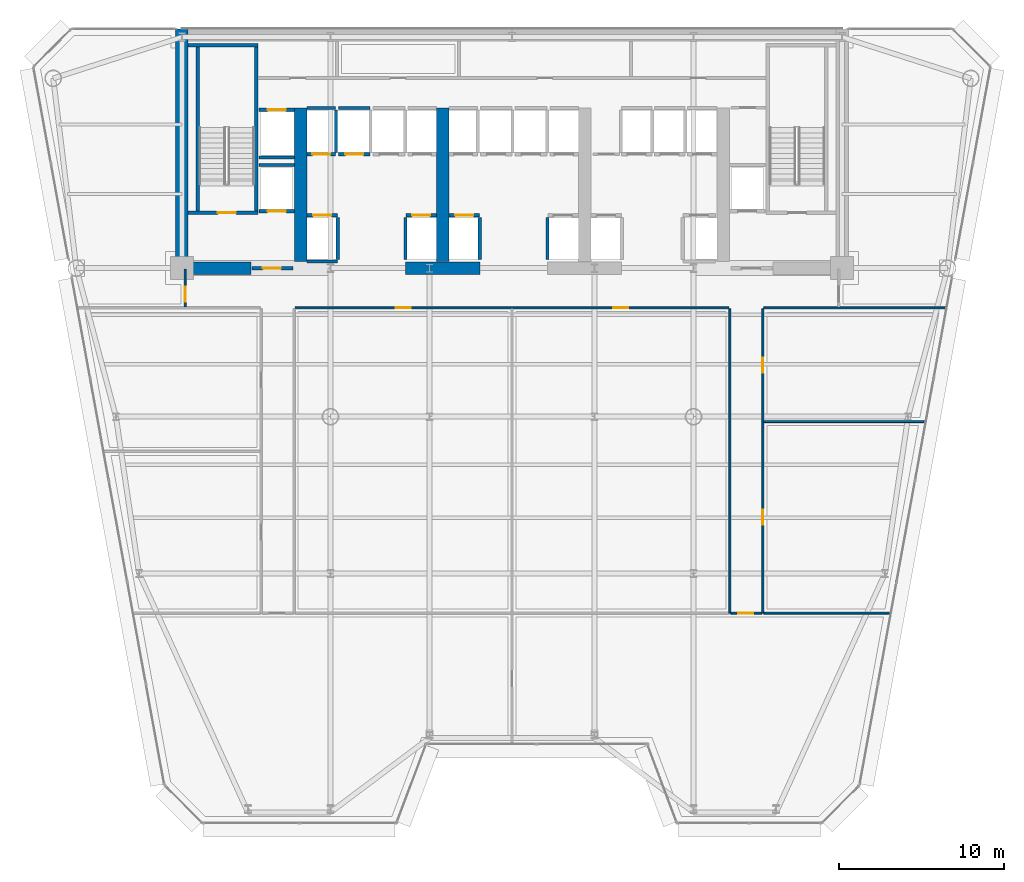
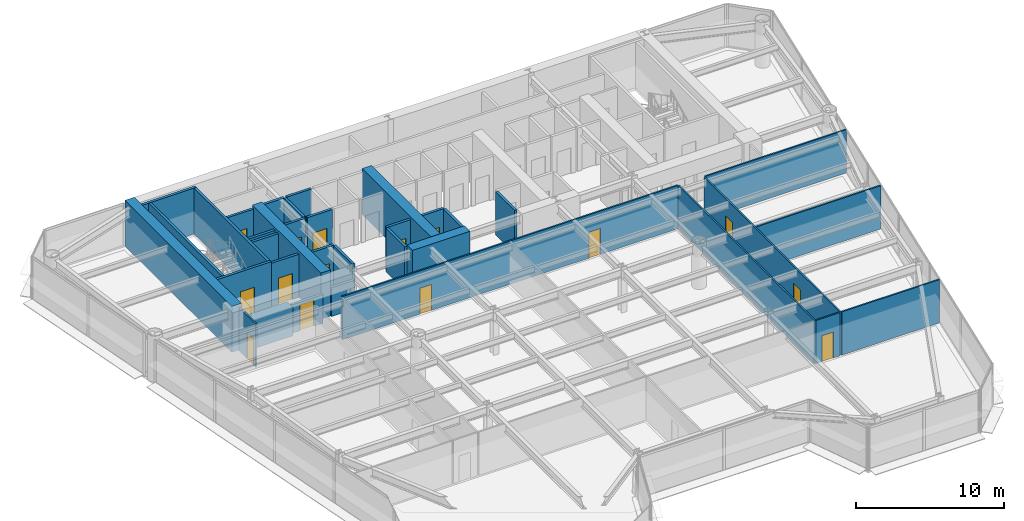
# One storey, part 8 of 14: 35 walls, 15 doors, 15 openings.
"""IFC4 building model written with IfcOpenShell, lengths in metres."""

from ifc_helpers import new_model, si_unit, direction, frame, frame_2d, origin, place, context, subcontext, project, spatial, rectangle, extrude, source, transform, mapped, material, layer, layer_set, type_object, element, fill, save


model = new_model("IFC4")

# Units and contexts
model_context = context("Model", 3, precision=1e-05, world=origin(), true_north=direction((0.0, 1.0)))
body_context = subcontext(model_context, "Body", "Model", "MODEL_VIEW")
ifc_project = project(units=[si_unit("LENGTHUNIT", "METRE"), si_unit("AREAUNIT", "SQUARE_METRE"), si_unit("VOLUMEUNIT", "CUBIC_METRE"), si_unit("PLANEANGLEUNIT", "RADIAN"), si_unit("MASSUNIT", "GRAM", prefix="KILO")], contexts=[model_context])

# Site, building, storey
site_placement = place(None, origin())
site = spatial("IfcSite", under=ifc_project, at=site_placement, CompositionType="ELEMENT")
building_placement = place(site_placement, origin())
building = spatial("IfcBuilding", under=site, at=building_placement, Name="Vaeldorn Concourse Tower", CompositionType="ELEMENT")
storey_placement = place(building_placement, frame((0.0, 0.0, 99.60009765625)))
storey = spatial("IfcBuildingStorey", under=building, at=storey_placement, Name="L25", CompositionType="ELEMENT", Elevation=99.60009765625)

# Walls
ifc_material_1 = material(Name="Concrete C60/75", Category="concrete")
ifc_layer_1 = layer(ifc_material_1, 0.75)
ifc_layer_set_1 = layer_set([ifc_layer_1], Name="Concrete C60/75")
wall_type_1 = type_object("IfcWallType", Name="WL-CORE-750", PredefinedType="SHEAR", material=ifc_layer_set_1)
wall_1_placement = place(storey_placement, frame((14.0, 36.5, 0.0), z_axis=(0.0, 0.0, 1.0), x_axis=(0.0, 1.0, 0.0)))
element("IfcWall", 1, at=wall_1_placement, inside=storey, type_object=wall_type_1, Name="Rear Core Shear Wall L25 W1", PredefinedType="SHEAR", context=body_context, shape_type="SweptSolid", body=[
    extrude(rectangle(XDim=14.5, YDim=0.75, at=frame_2d((7.25, 0.0))), origin(), (0.0, 0.0, 1.0), 3.7998046875),
])
wall_2_placement = place(storey_placement, frame((14.39501953125, 36.5, 0.0), z_axis=(0.0, 0.0, 1.0), x_axis=(1.0, 0.0, 0.0)))
element("IfcWall", 2, at=wall_2_placement, inside=storey, type_object=wall_type_1, Name="Rear Core Shear Wall L25 S1", PredefinedType="SHEAR", context=body_context, shape_type="SweptSolid", body=[
    extrude(rectangle(XDim=3.804931640625, YDim=0.75, at=frame_2d((1.90234375, 0.0))), origin(), (0.0, 0.0, 1.0), 2.3798828125),
])
wall_3_placement = place(storey_placement, frame((27.550048828125, 36.5, 0.0), z_axis=(0.0, 0.0, 1.0), x_axis=(1.0, 0.0, 0.0)))
element("IfcWall", 3, at=wall_3_placement, inside=storey, type_object=wall_type_1, Name="Rear Core Shear Wall L25 S2", PredefinedType="SHEAR", context=body_context, shape_type="SweptSolid", body=[
    extrude(rectangle(XDim=4.5, YDim=0.75, at=frame_2d((2.25, 0.0))), origin(), (0.0, 0.0, 1.0), 3.7998046875),
])
for number, where, z_axis, x_axis, name in (
    (4, (21.199951171875, 36.89501953125, 0.0), (0.0, 0.0, 1.0), (0.0, 1.0, 0.0), "Rear Core Shear Wall L25 M1"),
    (5, (29.800048828125, 36.89501953125, 0.0), (0.0, 0.0, 1.0), (0.0, 1.0, 0.0), "Rear Core Shear Wall L25 M2"),
):
    element("IfcWall", number, at=place(storey_placement, frame(where, z_axis=z_axis, x_axis=x_axis)), inside=storey, type_object=wall_type_1, Name=name, PredefinedType="SHEAR", context=body_context, shape_type="SweptSolid", body=[
        extrude(rectangle(XDim=9.304931640625, YDim=0.75, at=frame_2d((4.65234375, 0.0))), origin(), (0.0, 0.0, 1.0), 3.7998046875),
    ])

# Wall, openings, doors
ifc_material_2 = material(Name="Gypsum Board Partition", Category="gypsum")
ifc_layer_2 = layer(ifc_material_2, 0.1201171875)
ifc_layer_set_2 = layer_set([ifc_layer_2], Name="Gypsum Board Partition")
wall_type_2 = type_object("IfcWallType", Name="WL-PART-120", PredefinedType="PARTITIONING", material=ifc_layer_set_2)
wall_4_placement = place(storey_placement, frame((20.860107421875, 34.10009765625, 0.0), z_axis=(0.0, 0.0, 1.0), x_axis=(1.0, 0.0, 0.0)))
wall_4 = element("IfcWall", 6, at=wall_4_placement, inside=storey, type_object=wall_type_2, Name="Interior Wall PW-L25-CEWS", PredefinedType="PARTITIONING", context=body_context, shape_type="SweptSolid", body=[
    extrude(rectangle(XDim=26.27978515625, YDim=0.1201171875, at=frame_2d((13.139892578125, 0.0))), origin(), (0.0, 0.0, 1.0), 3.579833984375),
])
opening_1_placement = place(wall_4_placement, frame((6.090087890625, 0.0, 0.0)))
opening_1 = element("IfcOpeningElement", 7, at=opening_1_placement, cuts=wall_4, Name="Opening D-03", PredefinedType="OPENING", context=body_context, shape_type="SweptSolid", body=[
    extrude(rectangle(XDim=0.89990234375, YDim=2.14990234375, at=frame_2d((0.449951171875, 1.074951171875))), frame((0.0, 0.070068359375, 0.0), z_axis=(0.0, -1.0, 0.0), x_axis=(1.0, 0.0, 0.0)), (0.0, 0.0, 1.0), 0.14013671875),
])
opening_2_placement = place(wall_4_placement, frame((19.2900390625, 0.0, 0.0)))
opening_2 = element("IfcOpeningElement", 8, at=opening_2_placement, cuts=wall_4, Name="Opening D-03", PredefinedType="OPENING", context=body_context, shape_type="SweptSolid", body=[
    extrude(rectangle(XDim=0.89990234375, YDim=2.14990234375, at=frame_2d((0.449951171875, 1.074951171875))), frame((0.0, 0.070068359375, 0.0), z_axis=(0.0, -1.0, 0.0), x_axis=(1.0, 0.0, 0.0)), (0.0, 0.0, 1.0), 0.14013671875),
])
ifc_material_3 = material(Name="Acoustic Bronze-Framed Glass Door", Category="glass")
door_type_1 = type_object("IfcDoorType", Name="DR-INT-900", OperationType="NOTDEFINED", PredefinedType="DOOR", material=ifc_material_3)
shared_shape_1 = source(origin(), body_context, "Body", "SweptSolid", [
    extrude(rectangle(XDim=0.89990234375, YDim=2.14990234375, at=frame_2d((0.449951171875, 1.074951171875))), frame((0.0, 0.02490234375, 0.0), z_axis=(0.0, -1.0, 0.0), x_axis=(1.0, 0.0, 0.0)), (0.0, 0.0, 1.0), 0.050048828125),
])
door_1_placement = place(opening_1_placement, origin())
door_1 = element("IfcDoor", 9, at=door_1_placement, inside=storey, type_object=door_type_1, Name="Interior Door DR-L25-H1", OperationType="SINGLE_SWING_LEFT", OverallHeight=2.14990234375, OverallWidth=0.89990234375, PredefinedType="DOOR", context=body_context, shape_type="MappedRepresentation", body=[
    mapped(shared_shape_1, transform((0.0, 0.0, 0.0), scale=1.0)),
])
fill(opening_1, door_1)
door_2_placement = place(opening_2_placement, origin())
door_2 = element("IfcDoor", 10, at=door_2_placement, inside=storey, type_object=door_type_1, Name="Interior Door DR-L25-H2", OperationType="SINGLE_SWING_RIGHT", OverallHeight=2.14990234375, OverallWidth=0.89990234375, PredefinedType="DOOR", context=body_context, shape_type="MappedRepresentation", body=[
    mapped(shared_shape_1, transform((0.0, 0.0, 0.0), scale=1.0)),
])
fill(opening_2, door_2)

# Wall
wall_5_placement = place(storey_placement, frame((49.260009765625, 34.10009765625, 0.0), z_axis=(0.0, 0.0, 1.0), x_axis=(1.0, 0.0, 0.0)))
element("IfcWall", 11, at=wall_5_placement, inside=storey, type_object=wall_type_2, Name="Interior Wall PW-L25-CEWE", PredefinedType="PARTITIONING", context=body_context, shape_type="SweptSolid", body=[
    extrude(rectangle(XDim=11.036376953125, YDim=0.1201171875, at=frame_2d((5.51806640625, 0.0))), origin(), (0.0, 0.0, 1.0), 3.579833984375),
])

# Wall, opening, door
wall_6_placement = place(storey_placement, frame((14.199951171875, 34.159912109375, 0.0), z_axis=(0.0, 0.0, 1.0), x_axis=(0.0, 1.0, 0.0)))
wall_6 = element("IfcWall", 12, at=wall_6_placement, inside=storey, type_object=wall_type_2, Name="Interior Wall PW-L25-CWWT", PredefinedType="PARTITIONING", context=body_context, shape_type="SweptSolid", body=[
    extrude(rectangle(XDim=2.280029296875, YDim=0.1201171875, at=frame_2d((1.14013671875, 0.0))), origin(), (0.0, 0.0, 1.0), 3.579833984375),
])
opening_3_placement = place(wall_6_placement, frame((0.300048828125, 0.0, 0.0)))
opening_3 = element("IfcOpeningElement", 13, at=opening_3_placement, cuts=wall_6, Name="Opening D-03", PredefinedType="OPENING", context=body_context, shape_type="SweptSolid", body=[
    extrude(rectangle(XDim=0.89990234375, YDim=2.14990234375, at=frame_2d((0.449951171875, 1.074951171875))), frame((0.0, 0.070068359375, 0.0), z_axis=(0.0, -1.0, 0.0), x_axis=(1.0, 0.0, 0.0)), (0.0, 0.0, 1.0), 0.14013671875),
])
door_3_placement = place(opening_3_placement, origin())
door_3 = element("IfcDoor", 14, at=door_3_placement, inside=storey, type_object=door_type_1, Name="Interior Door DR-L25-NW1", OperationType="SINGLE_SWING_LEFT", OverallHeight=2.14990234375, OverallWidth=0.89990234375, PredefinedType="DOOR", context=body_context, shape_type="MappedRepresentation", body=[
    mapped(shared_shape_1, transform((0.0, 0.0, 0.0), scale=1.0)),
])
fill(opening_3, door_3)

# Wall
wall_7_placement = place(storey_placement, frame((47.199951171875, 15.60009765625, 0.0), z_axis=(0.0, 0.0, 1.0), x_axis=(0.0, 1.0, 0.0)))
element("IfcWall", 15, at=wall_7_placement, inside=storey, type_object=wall_type_2, Name="Interior Wall PW-L25-CEW", PredefinedType="PARTITIONING", context=body_context, shape_type="SweptSolid", body=[
    extrude(rectangle(XDim=18.43994140625, YDim=0.1201171875, at=frame_2d((9.219970703125, 0.0))), origin(), (0.0, 0.0, 1.0), 3.579833984375),
])

# Wall, openings, doors
wall_8_placement = place(storey_placement, frame((49.199951171875, 15.60009765625, 0.0), z_axis=(0.0, 0.0, 1.0), x_axis=(0.0, 1.0, 0.0)))
wall_8 = element("IfcWall", 16, at=wall_8_placement, inside=storey, type_object=wall_type_2, Name="Interior Wall PW-L25-CEE", PredefinedType="PARTITIONING", context=body_context, shape_type="SweptSolid", body=[
    extrude(rectangle(XDim=18.43994140625, YDim=0.1201171875, at=frame_2d((9.219970703125, 0.0))), origin(), (0.0, 0.0, 1.0), 3.579833984375),
])
opening_4_placement = place(wall_8_placement, frame((5.35009765625, 0.0, 0.0)))
opening_4 = element("IfcOpeningElement", 17, at=opening_4_placement, cuts=wall_8, Name="Opening D-03", PredefinedType="OPENING", context=body_context, shape_type="SweptSolid", body=[
    extrude(rectangle(XDim=0.89990234375, YDim=2.14990234375, at=frame_2d((0.449951171875, 1.074951171875))), frame((0.0, 0.070068359375, 0.0), z_axis=(0.0, -1.0, 0.0), x_axis=(1.0, 0.0, 0.0)), (0.0, 0.0, 1.0), 0.14013671875),
])
opening_5_placement = place(wall_8_placement, frame((14.570068359375, 0.0, 0.0)))
opening_5 = element("IfcOpeningElement", 18, at=opening_5_placement, cuts=wall_8, Name="Opening D-03", PredefinedType="OPENING", context=body_context, shape_type="SweptSolid", body=[
    extrude(rectangle(XDim=0.89990234375, YDim=2.14990234375, at=frame_2d((0.449951171875, 1.074951171875))), frame((0.0, 0.070068359375, 0.0), z_axis=(0.0, -1.0, 0.0), x_axis=(1.0, 0.0, 0.0)), (0.0, 0.0, 1.0), 0.14013671875),
])
door_4_placement = place(opening_4_placement, origin())
door_4 = element("IfcDoor", 19, at=door_4_placement, inside=storey, type_object=door_type_1, Name="Interior Door DR-L25-E1", OperationType="SINGLE_SWING_RIGHT", OverallHeight=2.14990234375, OverallWidth=0.89990234375, PredefinedType="DOOR", context=body_context, shape_type="MappedRepresentation", body=[
    mapped(shared_shape_1, transform((0.0, 0.0, 0.0), scale=1.0)),
])
fill(opening_4, door_4)
door_5_placement = place(opening_5_placement, origin())
door_5 = element("IfcDoor", 20, at=door_5_placement, inside=storey, type_object=door_type_1, Name="Interior Door DR-L25-E2", OperationType="SINGLE_SWING_LEFT", OverallHeight=2.14990234375, OverallWidth=0.89990234375, PredefinedType="DOOR", context=body_context, shape_type="MappedRepresentation", body=[
    mapped(shared_shape_1, transform((0.0, 0.0, 0.0), scale=1.0)),
])
fill(opening_5, door_5)

# Wall, opening, door
wall_9_placement = place(storey_placement, frame((47.260009765625, 15.60009765625, 0.0), z_axis=(0.0, 0.0, 1.0), x_axis=(1.0, 0.0, 0.0)))
wall_9 = element("IfcWall", 21, at=wall_9_placement, inside=storey, type_object=wall_type_2, Name="Interior Wall PW-L25-CES", PredefinedType="PARTITIONING", context=body_context, shape_type="SweptSolid", body=[
    extrude(rectangle(XDim=1.8798828125, YDim=0.1201171875, at=frame_2d((0.93994140625, 0.0))), origin(), (0.0, 0.0, 1.0), 3.579833984375),
])
opening_6_placement = place(wall_9_placement, frame((0.449951171875, 0.0, 0.0)))
opening_6 = element("IfcOpeningElement", 22, at=opening_6_placement, cuts=wall_9, Name="Opening D-03", PredefinedType="OPENING", context=body_context, shape_type="SweptSolid", body=[
    extrude(rectangle(XDim=0.89990234375, YDim=2.14990234375, at=frame_2d((0.449951171875, 1.074951171875))), frame((0.0, 0.070068359375, 0.0), z_axis=(0.0, -1.0, 0.0), x_axis=(1.0, 0.0, 0.0)), (0.0, 0.0, 1.0), 0.14013671875),
])
door_6_placement = place(opening_6_placement, origin())
door_6 = element("IfcDoor", 23, at=door_6_placement, inside=storey, type_object=door_type_1, Name="Interior Door DR-L25-SEL", OperationType="SINGLE_SWING_RIGHT", OverallHeight=2.14990234375, OverallWidth=0.89990234375, PredefinedType="DOOR", context=body_context, shape_type="MappedRepresentation", body=[
    mapped(shared_shape_1, transform((0.0, 0.0, 0.0), scale=1.0)),
])
fill(opening_6, door_6)

# Walls
wall_10_placement = place(storey_placement, frame((49.260009765625, 15.60009765625, 0.0), z_axis=(0.0, 0.0, 1.0), x_axis=(1.0, 0.0, 0.0)))
element("IfcWall", 24, at=wall_10_placement, inside=storey, type_object=wall_type_2, Name="Interior Wall PW-L25-EY0", PredefinedType="PARTITIONING", context=body_context, shape_type="SweptSolid", body=[
    extrude(rectangle(XDim=7.661376953125, YDim=0.1201171875, at=frame_2d((3.83056640625, 0.0))), origin(), (0.0, 0.0, 1.0), 3.579833984375),
])
wall_11_placement = place(storey_placement, frame((49.260009765625, 27.199951171875, 0.0), z_axis=(0.0, 0.0, 1.0), x_axis=(1.0, 0.0, 0.0)))
element("IfcWall", 25, at=wall_11_placement, inside=storey, type_object=wall_type_2, Name="Interior Wall PW-L25-EY1", PredefinedType="PARTITIONING", context=body_context, shape_type="SweptSolid", body=[
    extrude(rectangle(XDim=9.777587890625, YDim=0.1201171875, at=frame_2d((4.888671875, 0.0))), origin(), (0.0, 0.0, 1.0), 3.579833984375),
])

# Wall, opening, door
ifc_material_4 = material(Name="Concrete C50/60", Category="concrete")
ifc_layer_3 = layer(ifc_material_4, 0.199951171875)
ifc_layer_set_3 = layer_set([ifc_layer_3], Name="Concrete C50/60")
wall_type_3 = type_object("IfcWallType", Name="WL-SHAFT-200", PredefinedType="SOLIDWALL", material=ifc_layer_set_3)
wall_12_placement = place(storey_placement, frame((14.375, 39.85009765625, 0.0), z_axis=(0.0, 0.0, 1.0), x_axis=(1.0, 0.0, 0.0)))
wall_12 = element("IfcWall", 26, at=wall_12_placement, inside=storey, type_object=wall_type_3, Name="Stair Shaft Wall CW-L25-ST-1-S", PredefinedType="SOLIDWALL", context=body_context, shape_type="SweptSolid", body=[
    extrude(rectangle(XDim=4.22509765625, YDim=0.199951171875, at=frame_2d((2.112548828125, 0.0))), origin(), (0.0, 0.0, 1.0), 3.7998046875),
])
opening_7_placement = place(wall_12_placement, frame((1.800048828125, 0.0, 0.0)))
opening_7 = element("IfcOpeningElement", 27, at=opening_7_placement, cuts=wall_12, Name="Opening D-01", PredefinedType="OPENING", context=body_context, shape_type="SweptSolid", body=[
    extrude(rectangle(XDim=1.10009765625, YDim=2.14990234375, at=frame_2d((0.550048828125, 1.074951171875))), frame((0.0, 0.10986328125, 0.0), z_axis=(0.0, -1.0, 0.0), x_axis=(1.0, 0.0, 0.0)), (0.0, 0.0, 1.0), 0.219970703125),
])
ifc_material_5 = material(Name="Fire-Rated Timber and Steel Leaf", Category="steel")
door_type_2 = type_object("IfcDoorType", Name="DR-FD60-1100", OperationType="NOTDEFINED", PredefinedType="DOOR", material=ifc_material_5)
shared_shape_2 = source(origin(), body_context, "Body", "SweptSolid", [
    extrude(rectangle(XDim=1.10009765625, YDim=2.14990234375, at=frame_2d((0.550048828125, 1.074951171875))), frame((0.0, 0.02490234375, 0.0), z_axis=(0.0, -1.0, 0.0), x_axis=(1.0, 0.0, 0.0)), (0.0, 0.0, 1.0), 0.050048828125),
])
door_7_placement = place(opening_7_placement, origin())
door_7 = element("IfcDoor", 28, at=door_7_placement, inside=storey, type_object=door_type_2, Name="Interior Door DR-L25-ST-1", OperationType="SINGLE_SWING_LEFT", OverallHeight=2.14990234375, OverallWidth=1.10009765625, PredefinedType="DOOR", context=body_context, shape_type="MappedRepresentation", body=[
    mapped(shared_shape_2, transform((0.0, 0.0, 0.0), scale=1.0)),
])
fill(opening_7, door_7)

# Walls
wall_13_placement = place(storey_placement, frame((14.375, 50.0, 0.0), z_axis=(0.0, 0.0, 1.0), x_axis=(1.0, 0.0, 0.0)))
element("IfcWall", 29, at=wall_13_placement, inside=storey, type_object=wall_type_3, Name="Stair Shaft Wall CW-L25-ST-1-N", PredefinedType="SOLIDWALL", context=body_context, shape_type="SweptSolid", body=[
    extrude(rectangle(XDim=4.22509765625, YDim=0.199951171875, at=frame_2d((2.112548828125, 0.0))), origin(), (0.0, 0.0, 1.0), 3.7998046875),
])
for number, where, z_axis, x_axis, name in (
    (30, (14.949951171875, 39.9599609375, 0.0), (0.0, 0.0, 1.0), (0.0, 1.0, 0.0), "Stair Shaft Wall CW-L25-ST-1-W"),
    (31, (18.5, 39.9599609375, 0.0), (0.0, 0.0, 1.0), (0.0, 1.0, 0.0), "Stair Shaft Wall CW-L25-ST-1-E"),
):
    element("IfcWall", number, at=place(storey_placement, frame(where, z_axis=z_axis, x_axis=x_axis)), inside=storey, type_object=wall_type_3, Name=name, PredefinedType="SOLIDWALL", context=body_context, shape_type="SweptSolid", body=[
        extrude(rectangle(XDim=9.929931640625, YDim=0.199951171875, at=frame_2d((4.96484375, 0.0))), origin(), (0.0, 0.0, 1.0), 3.7998046875),
    ])

# Wall, opening, door
wall_14_placement = place(storey_placement, frame((18.25, 36.5, 0.0), z_axis=(0.0, 0.0, 1.0), x_axis=(1.0, 0.0, 0.0)))
wall_14 = element("IfcWall", 32, at=wall_14_placement, inside=storey, type_object=wall_type_3, Name="Interior Wall CW-L25-FF1S", PredefinedType="SOLIDWALL", context=body_context, shape_type="SweptSolid", body=[
    extrude(rectangle(XDim=2.469970703125, YDim=0.199951171875, at=frame_2d((1.23486328125, 0.0))), origin(), (0.0, 0.0, 1.0), 2.369873046875),
])
opening_8_placement = place(wall_14_placement, frame((0.64990234375, 0.0, 0.0)))
opening_8 = element("IfcOpeningElement", 33, at=opening_8_placement, cuts=wall_14, Name="Opening D-01", PredefinedType="OPENING", context=body_context, shape_type="SweptSolid", body=[
    extrude(rectangle(XDim=1.10009765625, YDim=2.14990234375, at=frame_2d((0.550048828125, 1.074951171875))), frame((0.0, 0.10986328125, 0.0), z_axis=(0.0, -1.0, 0.0), x_axis=(1.0, 0.0, 0.0)), (0.0, 0.0, 1.0), 0.219970703125),
])
door_8_placement = place(opening_8_placement, origin())
door_8 = element("IfcDoor", 34, at=door_8_placement, inside=storey, type_object=door_type_2, Name="Interior Door DR-L25-FF1E", OperationType="SINGLE_SWING_RIGHT", OverallHeight=2.14990234375, OverallWidth=1.10009765625, PredefinedType="DOOR", context=body_context, shape_type="MappedRepresentation", body=[
    mapped(shared_shape_2, transform((0.0, 0.0, 0.0), scale=1.0)),
])
fill(opening_8, door_8)

wall_15_placement = place(storey_placement, frame((21.5849609375, 39.699951171875, 0.0), z_axis=(0.0, 0.0, 1.0), x_axis=(1.0, 0.0, 0.0)))
wall_15 = element("IfcWall", 35, at=wall_15_placement, inside=storey, type_object=wall_type_3, Name="Interior Wall CW-L25-LF-LF-01", PredefinedType="SOLIDWALL", context=body_context, shape_type="SweptSolid", body=[
    extrude(rectangle(XDim=1.844970703125, YDim=0.199951171875, at=frame_2d((0.92236328125, 0.0))), origin(), (0.0, 0.0, 1.0), 3.579833984375),
])
opening_9_placement = place(wall_15_placement, frame((0.3720703125, 0.0, 0.0)))
opening_9 = element("IfcOpeningElement", 36, at=opening_9_placement, cuts=wall_15, Name="Opening LD-1", PredefinedType="OPENING", context=body_context, shape_type="SweptSolid", body=[
    extrude(rectangle(XDim=1.10009765625, YDim=2.14990234375, at=frame_2d((0.550048828125, 1.074951171875))), frame((0.0, 0.10986328125, 0.0), z_axis=(0.0, -1.0, 0.0), x_axis=(1.0, 0.0, 0.0)), (0.0, 0.0, 1.0), 0.219970703125),
])
ifc_material_6 = material(Name="Anodised Bronze Aluminium", Category="aluminium")
door_type_3 = type_object("IfcDoorType", Name="DR-LIFT-SLIDE-1100", OperationType="DOUBLE_DOOR_SLIDING", PredefinedType="DOOR", material=ifc_material_6)
door_9_placement = place(opening_9_placement, origin())
door_9 = element("IfcDoor", 37, at=door_9_placement, inside=storey, type_object=door_type_3, Name="Lift Landing Door LD-L25-LF-01", OperationType="DOUBLE_DOOR_SLIDING", OverallHeight=2.14990234375, OverallWidth=1.10009765625, PredefinedType="DOOR", context=body_context, shape_type="MappedRepresentation", body=[
    mapped(shared_shape_2, transform((0.0, 0.0, 0.0), scale=1.0)),
])
fill(opening_9, door_9)

# Walls
wall_16_placement = place(storey_placement, frame((21.5849609375, 36.89990234375, 0.0), z_axis=(0.0, 0.0, 1.0), x_axis=(1.0, 0.0, 0.0)))
element("IfcWall", 38, at=wall_16_placement, inside=storey, type_object=wall_type_3, Name="Interior Wall CW-L25-LFB-LF-01", PredefinedType="SOLIDWALL", context=body_context, shape_type="SweptSolid", body=[
    extrude(rectangle(XDim=1.844970703125, YDim=0.199951171875, at=frame_2d((0.92236328125, 0.0))), origin(), (0.0, 0.0, 1.0), 2.369873046875),
])
wall_17_placement = place(storey_placement, frame((23.449951171875, 37.02001953125, 0.0), z_axis=(0.0, 0.0, 1.0), x_axis=(0.0, 1.0, 0.0)))
element("IfcWall", 39, at=wall_17_placement, inside=storey, type_object=wall_type_3, Name="Interior Wall CW-L25-LFE-LF-01", PredefinedType="SOLIDWALL", context=body_context, shape_type="SweptSolid", body=[
    extrude(rectangle(XDim=2.56005859375, YDim=0.199951171875, at=frame_2d((1.280029296875, 0.0))), origin(), (0.0, 0.0, 1.0), 3.579833984375),
])

# Wall, opening, door
wall_18_placement = place(storey_placement, frame((27.570068359375, 39.699951171875, 0.0), z_axis=(0.0, 0.0, 1.0), x_axis=(1.0, 0.0, 0.0)))
wall_18 = element("IfcWall", 40, at=wall_18_placement, inside=storey, type_object=wall_type_3, Name="Interior Wall CW-L25-LF-LF-02", PredefinedType="SOLIDWALL", context=body_context, shape_type="SweptSolid", body=[
    extrude(rectangle(XDim=1.844970703125, YDim=0.199951171875, at=frame_2d((0.92236328125, 0.0))), origin(), (0.0, 0.0, 1.0), 3.579833984375),
])
opening_10_placement = place(wall_18_placement, frame((0.3720703125, 0.0, 0.0)))
opening_10 = element("IfcOpeningElement", 41, at=opening_10_placement, cuts=wall_18, Name="Opening LD-1", PredefinedType="OPENING", context=body_context, shape_type="SweptSolid", body=[
    extrude(rectangle(XDim=1.10009765625, YDim=2.14990234375, at=frame_2d((0.550048828125, 1.074951171875))), frame((0.0, 0.10986328125, 0.0), z_axis=(0.0, -1.0, 0.0), x_axis=(1.0, 0.0, 0.0)), (0.0, 0.0, 1.0), 0.219970703125),
])
door_10_placement = place(opening_10_placement, origin())
door_10 = element("IfcDoor", 42, at=door_10_placement, inside=storey, type_object=door_type_3, Name="Lift Landing Door LD-L25-LF-02", OperationType="DOUBLE_DOOR_SLIDING", OverallHeight=2.14990234375, OverallWidth=1.10009765625, PredefinedType="DOOR", context=body_context, shape_type="MappedRepresentation", body=[
    mapped(shared_shape_2, transform((0.0, 0.0, 0.0), scale=1.0)),
])
fill(opening_10, door_10)

# Wall
wall_19_placement = place(storey_placement, frame((27.550048828125, 37.02001953125, 0.0), z_axis=(0.0, 0.0, 1.0), x_axis=(0.0, 1.0, 0.0)))
element("IfcWall", 43, at=wall_19_placement, inside=storey, type_object=wall_type_3, Name="Interior Wall CW-L25-LFW-LF-02", PredefinedType="SOLIDWALL", context=body_context, shape_type="SweptSolid", body=[
    extrude(rectangle(XDim=2.56005859375, YDim=0.199951171875, at=frame_2d((1.280029296875, 0.0))), origin(), (0.0, 0.0, 1.0), 3.579833984375),
])

# Wall, opening, door
wall_20_placement = place(storey_placement, frame((21.5849609375, 43.39990234375, 0.0), z_axis=(0.0, 0.0, 1.0), x_axis=(1.0, 0.0, 0.0)))
wall_20 = element("IfcWall", 44, at=wall_20_placement, inside=storey, type_object=wall_type_3, Name="Interior Wall CW-L25-LF-LF-03", PredefinedType="SOLIDWALL", context=body_context, shape_type="SweptSolid", body=[
    extrude(rectangle(XDim=1.72509765625, YDim=0.199951171875, at=frame_2d((0.862548828125, 0.0))), origin(), (0.0, 0.0, 1.0), 3.579833984375),
])
opening_11_placement = place(wall_20_placement, frame((0.31201171875, 0.0, 0.0)))
opening_11 = element("IfcOpeningElement", 45, at=opening_11_placement, cuts=wall_20, Name="Opening LD-1", PredefinedType="OPENING", context=body_context, shape_type="SweptSolid", body=[
    extrude(rectangle(XDim=1.10009765625, YDim=2.14990234375, at=frame_2d((0.550048828125, 1.074951171875))), frame((0.0, 0.10986328125, 0.0), z_axis=(0.0, -1.0, 0.0), x_axis=(1.0, 0.0, 0.0)), (0.0, 0.0, 1.0), 0.219970703125),
])
door_11_placement = place(opening_11_placement, origin())
door_11 = element("IfcDoor", 46, at=door_11_placement, inside=storey, type_object=door_type_3, Name="Lift Landing Door LD-L25-LF-03", OperationType="DOUBLE_DOOR_SLIDING", OverallHeight=2.14990234375, OverallWidth=1.10009765625, PredefinedType="DOOR", context=body_context, shape_type="MappedRepresentation", body=[
    mapped(shared_shape_2, transform((0.0, 0.0, 0.0), scale=1.0)),
])
fill(opening_11, door_11)

# Walls
wall_21_placement = place(storey_placement, frame((21.5849609375, 46.199951171875, 0.0), z_axis=(0.0, 0.0, 1.0), x_axis=(1.0, 0.0, 0.0)))
element("IfcWall", 47, at=wall_21_placement, inside=storey, type_object=wall_type_3, Name="Interior Wall CW-L25-LFB-LF-03", PredefinedType="SOLIDWALL", context=body_context, shape_type="SweptSolid", body=[
    extrude(rectangle(XDim=1.72509765625, YDim=0.199951171875, at=frame_2d((0.862548828125, 0.0))), origin(), (0.0, 0.0, 1.0), 3.579833984375),
])
wall_22_placement = place(storey_placement, frame((23.330078125, 43.52001953125, 0.0), z_axis=(0.0, 0.0, 1.0), x_axis=(0.0, 1.0, 0.0)))
element("IfcWall", 48, at=wall_22_placement, inside=storey, type_object=wall_type_3, Name="Interior Wall CW-L25-LFE-LF-03", PredefinedType="SOLIDWALL", context=body_context, shape_type="SweptSolid", body=[
    extrude(rectangle(XDim=2.56005859375, YDim=0.199951171875, at=frame_2d((1.280029296875, 0.0))), origin(), (0.0, 0.0, 1.0), 3.579833984375),
])

# Wall, opening, door
wall_23_placement = place(storey_placement, frame((23.489990234375, 43.39990234375, 0.0), z_axis=(0.0, 0.0, 1.0), x_axis=(1.0, 0.0, 0.0)))
wall_23 = element("IfcWall", 49, at=wall_23_placement, inside=storey, type_object=wall_type_3, Name="Interior Wall CW-L25-LF-LF-04", PredefinedType="SOLIDWALL", context=body_context, shape_type="SweptSolid", body=[
    extrude(rectangle(XDim=1.919921875, YDim=0.199951171875, at=frame_2d((0.9599609375, 0.0))), origin(), (0.0, 0.0, 1.0), 3.579833984375),
])
opening_12_placement = place(wall_23_placement, frame((0.409912109375, 0.0, 0.0)))
opening_12 = element("IfcOpeningElement", 50, at=opening_12_placement, cuts=wall_23, Name="Opening LD-1", PredefinedType="OPENING", context=body_context, shape_type="SweptSolid", body=[
    extrude(rectangle(XDim=1.10009765625, YDim=2.14990234375, at=frame_2d((0.550048828125, 1.074951171875))), frame((0.0, 0.10986328125, 0.0), z_axis=(0.0, -1.0, 0.0), x_axis=(1.0, 0.0, 0.0)), (0.0, 0.0, 1.0), 0.219970703125),
])
door_12_placement = place(opening_12_placement, origin())
door_12 = element("IfcDoor", 51, at=door_12_placement, inside=storey, type_object=door_type_3, Name="Lift Landing Door LD-L25-LF-04", OperationType="DOUBLE_DOOR_SLIDING", OverallHeight=2.14990234375, OverallWidth=1.10009765625, PredefinedType="DOOR", context=body_context, shape_type="MappedRepresentation", body=[
    mapped(shared_shape_2, transform((0.0, 0.0, 0.0), scale=1.0)),
])
fill(opening_12, door_12)

# Wall
wall_24_placement = place(storey_placement, frame((23.489990234375, 46.199951171875, 0.0), z_axis=(0.0, 0.0, 1.0), x_axis=(1.0, 0.0, 0.0)))
element("IfcWall", 52, at=wall_24_placement, inside=storey, type_object=wall_type_3, Name="Interior Wall CW-L25-LFB-LF-04", PredefinedType="SOLIDWALL", context=body_context, shape_type="SweptSolid", body=[
    extrude(rectangle(XDim=1.919921875, YDim=0.199951171875, at=frame_2d((0.9599609375, 0.0))), origin(), (0.0, 0.0, 1.0), 3.579833984375),
])

# Wall, opening, door
wall_25_placement = place(storey_placement, frame((30.18505859375, 39.699951171875, 0.0), z_axis=(0.0, 0.0, 1.0), x_axis=(1.0, 0.0, 0.0)))
wall_25 = element("IfcWall", 53, at=wall_25_placement, inside=storey, type_object=wall_type_3, Name="Interior Wall CW-L25-LF-LF-07", PredefinedType="SOLIDWALL", context=body_context, shape_type="SweptSolid", body=[
    extrude(rectangle(XDim=1.844970703125, YDim=0.199951171875, at=frame_2d((0.92236328125, 0.0))), origin(), (0.0, 0.0, 1.0), 3.579833984375),
])
opening_13_placement = place(wall_25_placement, frame((0.373046875, 0.0, 0.0)))
opening_13 = element("IfcOpeningElement", 54, at=opening_13_placement, cuts=wall_25, Name="Opening LD-1", PredefinedType="OPENING", context=body_context, shape_type="SweptSolid", body=[
    extrude(rectangle(XDim=1.10009765625, YDim=2.14990234375, at=frame_2d((0.550048828125, 1.074951171875))), frame((0.0, 0.10986328125, 0.0), z_axis=(0.0, -1.0, 0.0), x_axis=(1.0, 0.0, 0.0)), (0.0, 0.0, 1.0), 0.219970703125),
])
door_13_placement = place(opening_13_placement, origin())
door_13 = element("IfcDoor", 55, at=door_13_placement, inside=storey, type_object=door_type_3, Name="Lift Landing Door LD-L25-LF-07", OperationType="DOUBLE_DOOR_SLIDING", OverallHeight=2.14990234375, OverallWidth=1.10009765625, PredefinedType="DOOR", context=body_context, shape_type="MappedRepresentation", body=[
    mapped(shared_shape_2, transform((0.0, 0.0, 0.0), scale=1.0)),
])
fill(opening_13, door_13)

# Walls
for number, where, z_axis, x_axis, name in (
    (56, (32.050048828125, 37.02001953125, 0.0), (0.0, 0.0, 1.0), (0.0, 1.0, 0.0), "Interior Wall CW-L25-LFE-LF-07"),
    (57, (36.14990234375, 37.02001953125, 0.0), (0.0, 0.0, 1.0), (0.0, 1.0, 0.0), "Interior Wall CW-L25-LFW-LF-08"),
):
    element("IfcWall", number, at=place(storey_placement, frame(where, z_axis=z_axis, x_axis=x_axis)), inside=storey, type_object=wall_type_3, Name=name, PredefinedType="SOLIDWALL", context=body_context, shape_type="SweptSolid", body=[
        extrude(rectangle(XDim=2.56005859375, YDim=0.199951171875, at=frame_2d((1.280029296875, 0.0))), origin(), (0.0, 0.0, 1.0), 3.579833984375),
    ])

# Wall, opening, door
wall_26_placement = place(storey_placement, frame((18.669921875, 46.10009765625, 0.0), z_axis=(0.0, 0.0, 1.0), x_axis=(1.0, 0.0, 0.0)))
wall_26 = element("IfcWall", 58, at=wall_26_placement, inside=storey, type_object=wall_type_3, Name="Interior Wall CW-L25-LF-LF-SV1", PredefinedType="SOLIDWALL", context=body_context, shape_type="SweptSolid", body=[
    extrude(rectangle(XDim=2.14501953125, YDim=0.199951171875, at=frame_2d((1.072509765625, 0.0))), origin(), (0.0, 0.0, 1.0), 3.579833984375),
])
opening_14_placement = place(wall_26_placement, frame((0.52197265625, 0.0, 0.0)))
opening_14 = element("IfcOpeningElement", 59, at=opening_14_placement, cuts=wall_26, Name="Opening LD-1", PredefinedType="OPENING", context=body_context, shape_type="SweptSolid", body=[
    extrude(rectangle(XDim=1.10009765625, YDim=2.14990234375, at=frame_2d((0.550048828125, 1.074951171875))), frame((0.0, 0.10986328125, 0.0), z_axis=(0.0, -1.0, 0.0), x_axis=(1.0, 0.0, 0.0)), (0.0, 0.0, 1.0), 0.219970703125),
])
door_14_placement = place(opening_14_placement, origin())
door_14 = element("IfcDoor", 60, at=door_14_placement, inside=storey, type_object=door_type_3, Name="Lift Landing Door LD-L25-LF-SV1", OperationType="DOUBLE_DOOR_SLIDING", OverallHeight=2.14990234375, OverallWidth=1.10009765625, PredefinedType="DOOR", context=body_context, shape_type="MappedRepresentation", body=[
    mapped(shared_shape_2, transform((0.0, 0.0, 0.0), scale=1.0)),
])
fill(opening_14, door_14)

# Wall
wall_27_placement = place(storey_placement, frame((18.669921875, 43.199951171875, 0.0), z_axis=(0.0, 0.0, 1.0), x_axis=(1.0, 0.0, 0.0)))
element("IfcWall", 61, at=wall_27_placement, inside=storey, type_object=wall_type_3, Name="Interior Wall CW-L25-LFB-LF-SV1", PredefinedType="SOLIDWALL", context=body_context, shape_type="SweptSolid", body=[
    extrude(rectangle(XDim=2.14501953125, YDim=0.199951171875, at=frame_2d((1.072509765625, 0.0))), origin(), (0.0, 0.0, 1.0), 3.579833984375),
])

# Wall, opening, door
wall_28_placement = place(storey_placement, frame((18.669921875, 39.949951171875, 0.0), z_axis=(0.0, 0.0, 1.0), x_axis=(1.0, 0.0, 0.0)))
wall_28 = element("IfcWall", 62, at=wall_28_placement, inside=storey, type_object=wall_type_3, Name="Interior Wall CW-L25-LF-LF-FF1", PredefinedType="SOLIDWALL", context=body_context, shape_type="SweptSolid", body=[
    extrude(rectangle(XDim=2.14501953125, YDim=0.199951171875, at=frame_2d((1.072509765625, 0.0))), origin(), (0.0, 0.0, 1.0), 3.579833984375),
])
opening_15_placement = place(wall_28_placement, frame((0.52197265625, 0.0, 0.0)))
opening_15 = element("IfcOpeningElement", 63, at=opening_15_placement, cuts=wall_28, Name="Opening LD-1", PredefinedType="OPENING", context=body_context, shape_type="SweptSolid", body=[
    extrude(rectangle(XDim=1.10009765625, YDim=2.14990234375, at=frame_2d((0.550048828125, 1.074951171875))), frame((0.0, 0.10986328125, 0.0), z_axis=(0.0, -1.0, 0.0), x_axis=(1.0, 0.0, 0.0)), (0.0, 0.0, 1.0), 0.219970703125),
])
door_15_placement = place(opening_15_placement, origin())
door_15 = element("IfcDoor", 64, at=door_15_placement, inside=storey, type_object=door_type_3, Name="Lift Landing Door LD-L25-LF-FF1", OperationType="DOUBLE_DOOR_SLIDING", OverallHeight=2.14990234375, OverallWidth=1.10009765625, PredefinedType="DOOR", context=body_context, shape_type="MappedRepresentation", body=[
    mapped(shared_shape_2, transform((0.0, 0.0, 0.0), scale=1.0)),
])
fill(opening_15, door_15)

# Wall
wall_29_placement = place(storey_placement, frame((18.669921875, 42.75, 0.0), z_axis=(0.0, 0.0, 1.0), x_axis=(1.0, 0.0, 0.0)))
element("IfcWall", 65, at=wall_29_placement, inside=storey, type_object=wall_type_3, Name="Interior Wall CW-L25-LFB-LF-FF1", PredefinedType="SOLIDWALL", context=body_context, shape_type="SweptSolid", body=[
    extrude(rectangle(XDim=2.14501953125, YDim=0.199951171875, at=frame_2d((1.072509765625, 0.0))), origin(), (0.0, 0.0, 1.0), 3.579833984375),
])

save(model, "model.ifc")
